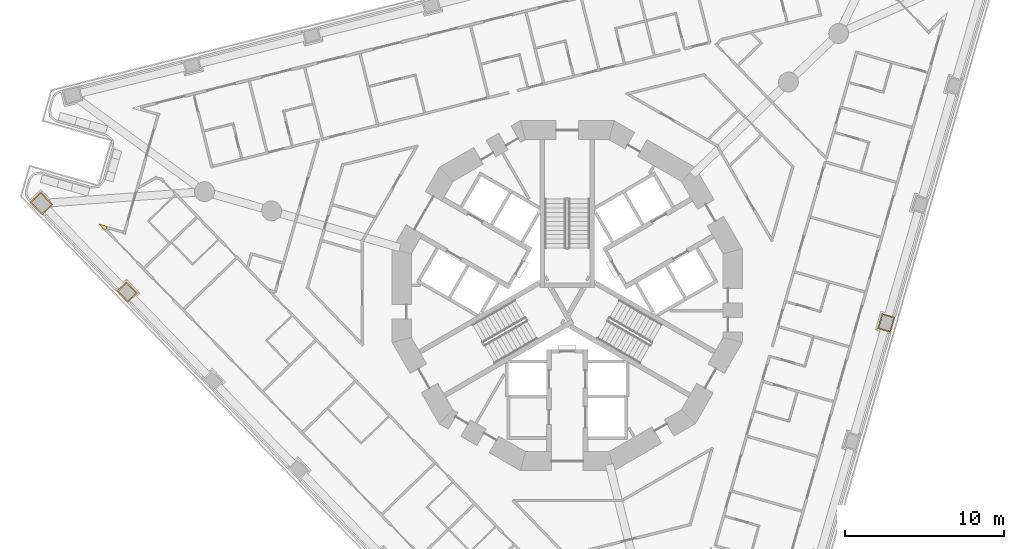
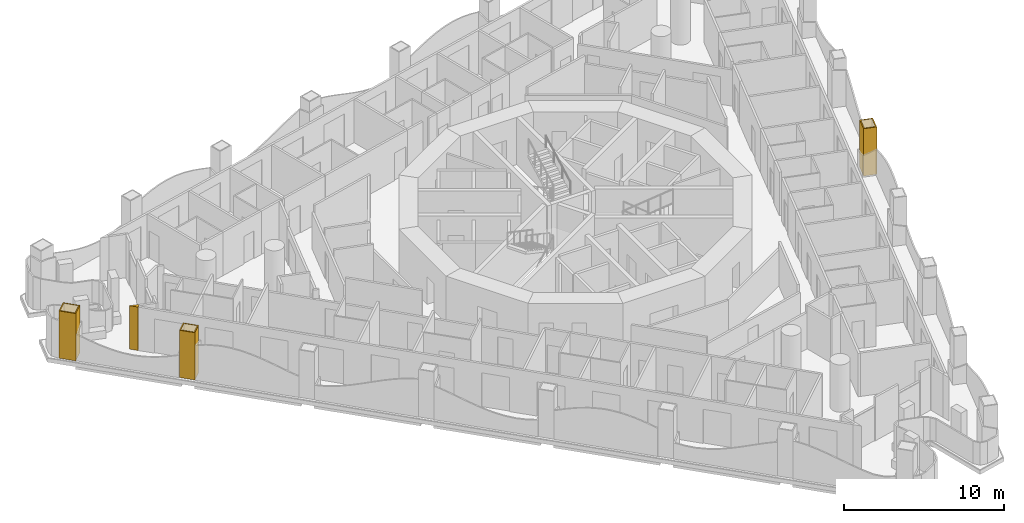
# One storey, part 15 of 19: 4 coverings.
"""IFC4 building model written with IfcOpenShell, lengths in metres."""

from ifc_helpers import new_model, si_unit, direction, frame, origin, place, context, subcontext, project, spatial, polyline, outline, extrude, material, layer, layer_set, type_object, element, save


model = new_model("IFC4")

# Units and contexts
model_context = context("Model", 3, precision=1e-05, world=origin(), true_north=direction((0.0, 1.0)))
body_context = subcontext(model_context, "Body", "Model", "MODEL_VIEW")
ifc_project = project(units=[si_unit("LENGTHUNIT", "METRE"), si_unit("AREAUNIT", "SQUARE_METRE"), si_unit("VOLUMEUNIT", "CUBIC_METRE"), si_unit("PLANEANGLEUNIT", "RADIAN"), si_unit("MASSUNIT", "GRAM", prefix="KILO")], contexts=[model_context])

# Site, building, storey
site_placement = place(None, origin())
site = spatial("IfcSite", under=ifc_project, at=site_placement, CompositionType="ELEMENT")
building_placement = place(site_placement, origin())
building = spatial("IfcBuilding", under=site, at=building_placement, Name="Trine Commons Tower", CompositionType="ELEMENT")
storey_placement = place(building_placement, frame((0.0, 0.0, 98.10009765625)))
storey = spatial("IfcBuildingStorey", under=building, at=storey_placement, Name="L24", CompositionType="ELEMENT", Elevation=98.10009765625)

# Coverings
ifc_material_1 = material(Name="Aluminium-framed insulated wall panel", Category="aluminium")
ifc_layer_1 = layer(ifc_material_1, 0.14990234375)
ifc_layer_set_1 = layer_set([ifc_layer_1], Name="Aluminium-framed insulated wall panel")
covering_type_1 = type_object("IfcCoveringType", Name="Glazing corner post, aluminium", PredefinedType="CLADDING", material=ifc_layer_set_1)
covering_1_placement = place(storey_placement, origin())
element("IfcCovering", 1, at=covering_1_placement, inside=storey, type_object=covering_type_1, Name="Glazing corner post 3-01", PredefinedType="CLADDING", context=body_context, shape_type="SweptSolid", body=[
    extrude(outline(polyline([(50.897216796875, 66.611083984375), (51.005126953125, 66.71533203125), (51.04638671875, 66.859619140625), (50.50830078125, 67.013916015625), (50.897216796875, 66.611083984375)])), origin(), (0.0, 0.0, 1.0), 3.2998046875),
])
ifc_material_2 = material(Name="Limestone, honed", Category="masonry")
ifc_layer_2 = layer(ifc_material_2, 0.074951171875)
ifc_layer_set_2 = layer_set([ifc_layer_2], Name="Limestone, honed")
covering_type_2 = type_object("IfcCoveringType", Name="Limestone column cladding 75", PredefinedType="CLADDING", material=ifc_layer_set_2)
covering_2_placement = place(storey_placement, origin())
element("IfcCovering", 2, at=covering_2_placement, inside=storey, type_object=covering_type_2, Name="Limestone pier cladding 3-07", PredefinedType="CLADDING", context=body_context, shape_type="SweptSolid", body=[
    extrude(outline(polyline([(52.265380859375, 63.373291015625), (51.654052734375, 62.78271484375), (52.3486328125, 62.0634765625), (52.960205078125, 62.65380859375), (52.265380859375, 63.373291015625)]), holes=[polyline([(52.263671875, 63.26708984375), (51.760009765625, 62.781005859375), (52.3505859375, 62.16943359375), (52.85400390625, 62.65576171875), (52.263671875, 63.26708984375)])]), origin(), (0.0, 0.0, 1.0), 3.599853515625),
])
covering_3_placement = place(storey_placement, origin())
element("IfcCovering", 3, at=covering_3_placement, inside=storey, type_object=covering_type_2, Name="Limestone pier cladding 3-08", PredefinedType="CLADDING", context=body_context, shape_type="SweptSolid", body=[
    extrude(outline(polyline([(46.877685546875, 69.0244140625), (46.194580078125, 68.364501953125), (46.95849609375, 67.572998046875), (47.641845703125, 68.23291015625), (46.877685546875, 69.0244140625)]), holes=[polyline([(46.8759765625, 68.918212890625), (46.300537109375, 68.362548828125), (46.96044921875, 67.67919921875), (47.535888671875, 68.23486328125), (46.8759765625, 68.918212890625)])]), origin(), (0.0, 0.0, 1.0), 3.599853515625),
])
covering_4_placement = place(storey_placement, origin())
element("IfcCovering", 4, at=covering_4_placement, inside=storey, type_object=covering_type_2, Name="Limestone pier cladding 3-20", PredefinedType="CLADDING", context=body_context, shape_type="SweptSolid", body=[
    extrude(outline(polyline([(100.61865234375, 61.14306640625), (99.801513671875, 61.377197265625), (99.52587890625, 60.416015625), (100.343017578125, 60.181640625), (100.61865234375, 61.14306640625)]), holes=[polyline([(100.52587890625, 61.091552734375), (99.85302734375, 61.284423828125), (99.61865234375, 60.46728515625), (100.29150390625, 60.2744140625), (100.52587890625, 61.091552734375)])]), origin(), (0.0, 0.0, 1.0), 3.599853515625),
])

save(model, "model.ifc")
